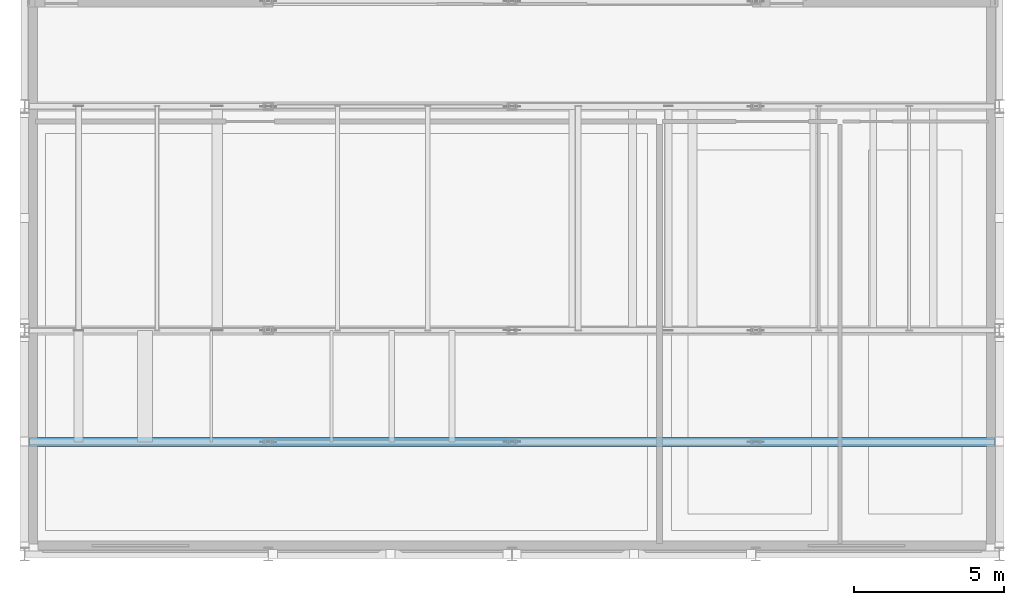
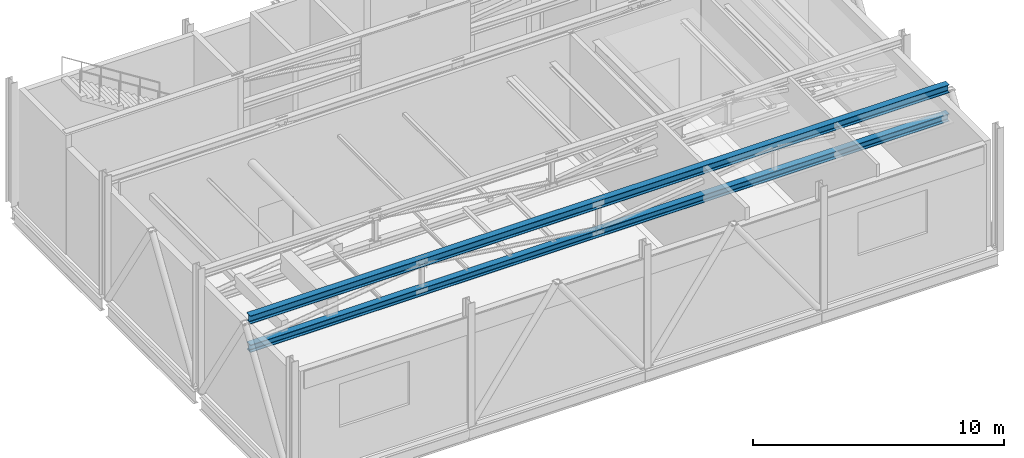
# One storey, part 3 of 21: 2 members.
"""IFC4 building model written with IfcOpenShell, lengths in metres."""

from ifc_helpers import new_model, si_unit, direction, frame, origin, origin_2d, place, context, subcontext, project, spatial, i_section, extrude, material, material_profile, profile_set, type_object, element, save


model = new_model("IFC4")

# Units and contexts
model_context = context("Model", 3, precision=1e-05, world=origin(), true_north=direction((0.0, 1.0)))
body_context = subcontext(model_context, "Body", "Model", "MODEL_VIEW")
ifc_project = project(units=[si_unit("LENGTHUNIT", "METRE"), si_unit("AREAUNIT", "SQUARE_METRE"), si_unit("VOLUMEUNIT", "CUBIC_METRE"), si_unit("PLANEANGLEUNIT", "RADIAN"), si_unit("MASSUNIT", "GRAM", prefix="KILO")], contexts=[model_context])

# Site, building, storey
site_placement = place(None, origin())
site = spatial("IfcSite", under=ifc_project, at=site_placement, CompositionType="ELEMENT")
building_placement = place(site_placement, origin())
building = spatial("IfcBuilding", under=site, at=building_placement, Name="Kaelora Sail Theatre", CompositionType="ELEMENT")
storey_placement = place(building_placement, frame((0.0, 0.0, 27.60009765625)))
storey = spatial("IfcBuildingStorey", under=building, at=storey_placement, Name="L06", CompositionType="ELEMENT", Elevation=27.60009765625)

# Members
ifc_material_1 = material(Name="Steel S355", Category="steel")
ifc_material_profile_1 = material_profile(ifc_material_1, i_section(OverallWidth=0.300048828125, OverallDepth=0.389892578125, WebThickness=0.010986328125, FlangeThickness=0.01904296875, FilletRadius=0.027099609375, at=origin_2d()), Name="HEA 400")
ifc_profile_set_1 = profile_set([ifc_material_profile_1], Name="Steel S355")
member_type_1 = type_object("IfcMemberType", Name="STR-MEM-CH-HEA400", PredefinedType="CHORD", material=ifc_profile_set_1)
member_1_placement = place(storey_placement, frame((25.949951171875, 64.75, 5.64990234375), z_axis=(1.0, 0.0, 0.0), x_axis=(0.0, 1.0, 0.0)))
element("IfcMember", 1, at=member_1_placement, inside=storey, type_object=member_type_1, Name="Fly Tower truss 1 top chord", PredefinedType="CHORD", context=body_context, shape_type="SweptSolid", body=[
    extrude(i_section(OverallWidth=0.300048828125, OverallDepth=0.389892578125, WebThickness=0.010986328125, FlangeThickness=0.01904296875, FilletRadius=0.027099609375, at=origin_2d()), origin(), (0.0, 0.0, 1.0), 32.10009765625),
])
ifc_material_2 = material(Name="Steel S355", Category="steel")
ifc_material_profile_2 = material_profile(ifc_material_2, i_section(OverallWidth=0.300048828125, OverallDepth=0.360107421875, WebThickness=0.012451171875, FlangeThickness=0.0224609375, FilletRadius=0.027099609375, at=origin_2d()), Name="HEB 360")
ifc_profile_set_2 = profile_set([ifc_material_profile_2], Name="Steel S355")
member_type_2 = type_object("IfcMemberType", Name="STR-MEM-CH-HEB360", PredefinedType="CHORD", material=ifc_profile_set_2)
member_2_placement = place(storey_placement, frame((25.949951171875, 64.75, 4.25), z_axis=(1.0, 0.0, 0.0), x_axis=(0.0, 1.0, 0.0)))
element("IfcMember", 2, at=member_2_placement, inside=storey, type_object=member_type_2, Name="Fly Tower truss 1 bottom chord", PredefinedType="CHORD", context=body_context, shape_type="SweptSolid", body=[
    extrude(i_section(OverallWidth=0.300048828125, OverallDepth=0.360107421875, WebThickness=0.012451171875, FlangeThickness=0.0224609375, FilletRadius=0.027099609375, at=origin_2d()), origin(), (0.0, 0.0, 1.0), 32.10009765625),
])

save(model, "model.ifc")
